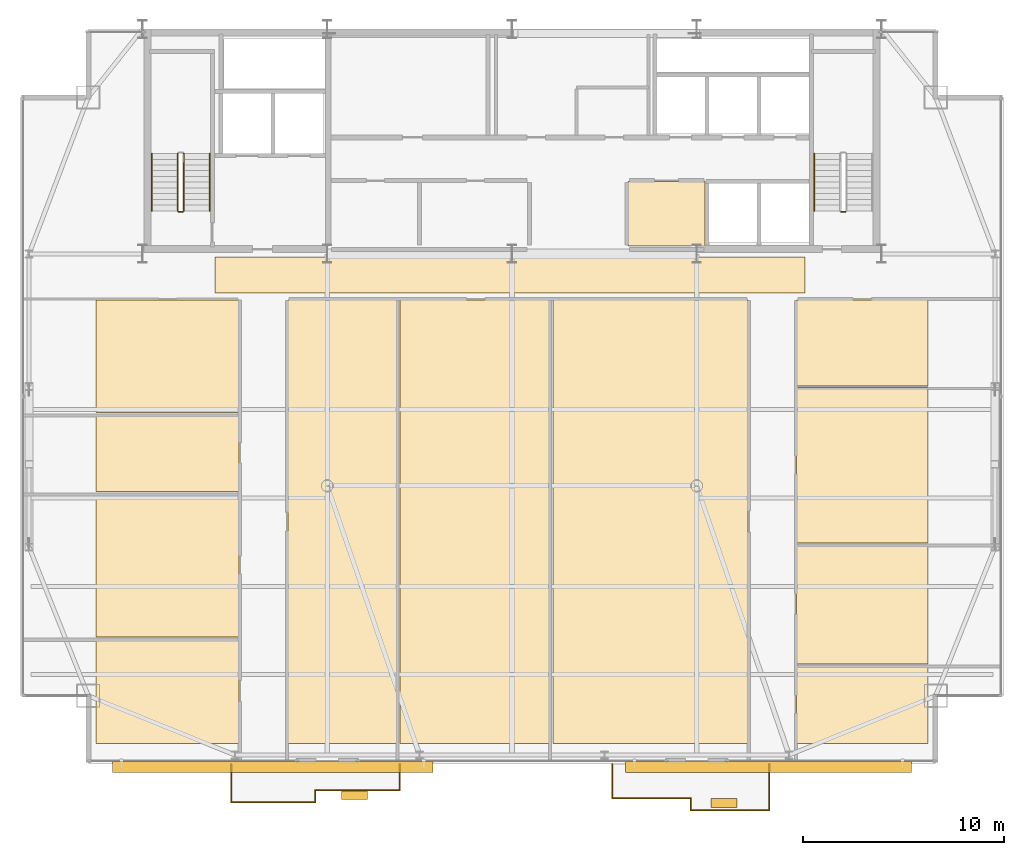
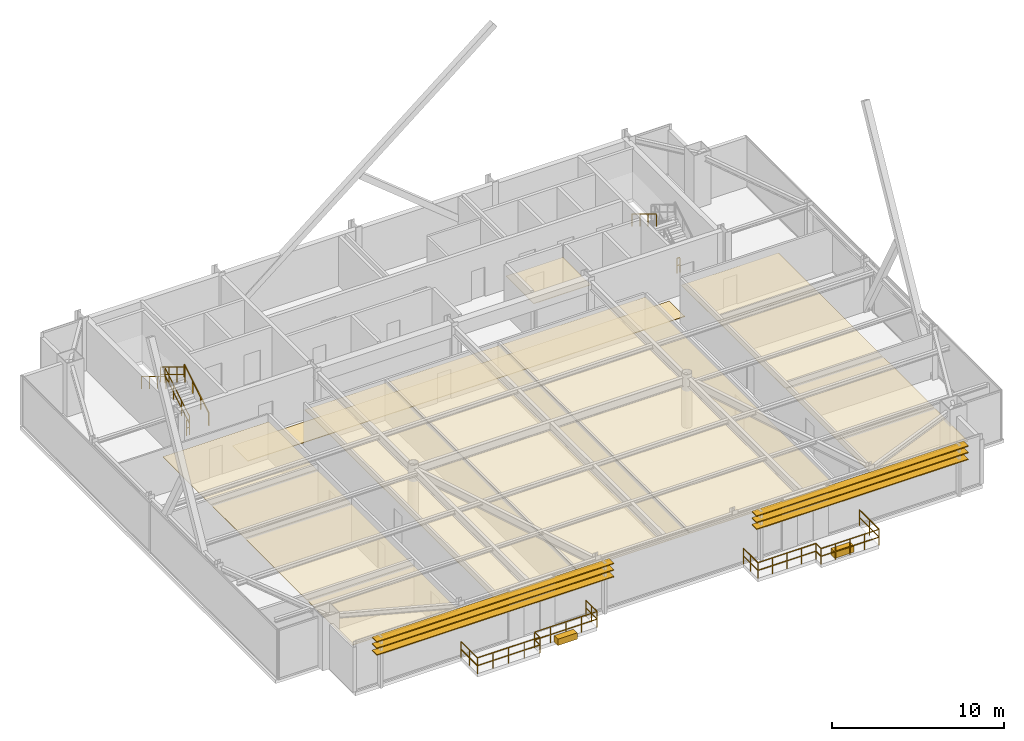
# One storey, part 30 of 31: 17 railings, 15 coverings, 6 shading devices.
"""IFC4 building model written with IfcOpenShell, lengths in metres."""

from ifc_helpers import new_model, si_unit, direction, frame, origin, origin_2d, place, context, subcontext, project, spatial, polyline, rectangle, outline, extrude, source, transform, mapped, material, layer, layer_set, type_object, type_shapes, element, save


model = new_model("IFC4")

# Units and contexts
model_context = context("Model", 3, precision=1e-05, world=origin(), true_north=direction((0.0, 1.0)))
body_context = subcontext(model_context, "Body", "Model", "MODEL_VIEW")
ifc_project = project(units=[si_unit("LENGTHUNIT", "METRE"), si_unit("AREAUNIT", "SQUARE_METRE"), si_unit("VOLUMEUNIT", "CUBIC_METRE"), si_unit("PLANEANGLEUNIT", "RADIAN"), si_unit("MASSUNIT", "GRAM", prefix="KILO")], contexts=[model_context])

# Site, building, storey
site_placement = place(None, origin())
site = spatial("IfcSite", under=ifc_project, at=site_placement, CompositionType="ELEMENT")
building_placement = place(site_placement, origin())
building = spatial("IfcBuilding", under=site, at=building_placement, Name="Varnel Quay Broadcast Tower", CompositionType="ELEMENT")
storey_placement = place(building_placement, frame((0.0, 0.0, 215.0)))
storey = spatial("IfcBuildingStorey", under=building, at=storey_placement, Name="L53", CompositionType="ELEMENT", Elevation=215.0)

# Coverings
ifc_material_1 = material(Name="Micro-Perforated Acoustic Ceiling Tile")
ifc_layer_1 = layer(ifc_material_1, 0.0400390625, Name="Micro-Perforated Acoustic Ceiling Tile")
ifc_layer_set_1 = layer_set([ifc_layer_1], Name="Micro-Perforated Acoustic Ceiling Tile")
covering_type_1 = type_object("IfcCoveringType", Name="Cov_AcousticCeiling", PredefinedType="CEILING", material=ifc_layer_set_1)
covering_1_placement = place(storey_placement, frame((0.0, 0.0, 2.580078125)))
element("IfcCovering", 1, at=covering_1_placement, inside=storey, type_object=covering_type_1, Name="L53 Electrical Sub-Distribution Closet Acoustic Ceiling", PredefinedType="CEILING", context=body_context, shape_type="SweptSolid", body=[
    extrude(outline(polyline([(39.784912109375, 35.985107421875), (43.614990234375, 35.985107421875), (43.614990234375, 39.215087890625), (39.784912109375, 39.215087890625), (39.784912109375, 35.985107421875)])), origin(), (0.0, 0.0, 1.0), 0.0400390625),
])
covering_2_placement = place(storey_placement, frame((0.0, 0.0, 2.580078125)))
element("IfcCovering", 2, at=covering_2_placement, inside=storey, type_object=covering_type_1, Name="L53 Editorial Boardroom 1 Acoustic Ceiling", PredefinedType="CEILING", context=body_context, shape_type="SweptSolid", body=[
    extrude(outline(polyline([(13.284912109375, 11.22509765625), (20.4150390625, 11.22509765625), (20.4150390625, 16.455078125), (13.284912109375, 16.455078125), (13.284912109375, 11.22509765625)])), origin(), (0.0, 0.0, 1.0), 0.0400390625),
])
covering_3_placement = place(storey_placement, frame((0.0, 0.0, 2.580078125)))
element("IfcCovering", 3, at=covering_3_placement, inside=storey, type_object=covering_type_1, Name="L53 Break Kitchen 2 Acoustic Ceiling", PredefinedType="CEILING", context=body_context, shape_type="SweptSolid", body=[
    extrude(outline(polyline([(13.284912109375, 16.52490234375), (20.4150390625, 16.52490234375), (20.4150390625, 23.695068359375), (13.284912109375, 23.695068359375), (13.284912109375, 16.52490234375)])), origin(), (0.0, 0.0, 1.0), 0.0400390625),
])
covering_4_placement = place(storey_placement, frame((0.0, 0.0, 2.580078125)))
element("IfcCovering", 4, at=covering_4_placement, inside=storey, type_object=covering_type_1, Name="L53 Press Green Lounge 3 Acoustic Ceiling", PredefinedType="CEILING", context=body_context, shape_type="SweptSolid", body=[
    extrude(outline(polyline([(13.284912109375, 23.764892578125), (20.4150390625, 23.764892578125), (20.4150390625, 27.625), (13.284912109375, 27.625), (13.284912109375, 23.764892578125)])), origin(), (0.0, 0.0, 1.0), 0.0400390625),
])
covering_5_placement = place(storey_placement, frame((0.0, 0.0, 2.580078125)))
element("IfcCovering", 5, at=covering_5_placement, inside=storey, type_object=covering_type_1, Name="L53 Camera Locker Store 4 Acoustic Ceiling", PredefinedType="CEILING", context=body_context, shape_type="SweptSolid", body=[
    extrude(outline(polyline([(13.284912109375, 27.695068359375), (20.4150390625, 27.695068359375), (20.4150390625, 33.31494140625), (13.284912109375, 33.31494140625), (13.284912109375, 27.695068359375)])), origin(), (0.0, 0.0, 1.0), 0.0400390625),
])
covering_6_placement = place(storey_placement, frame((0.0, 0.0, 2.580078125)))
element("IfcCovering", 6, at=covering_6_placement, inside=storey, type_object=covering_type_1, Name="L53 Broadcast Newsroom 5 Acoustic Ceiling", PredefinedType="CEILING", context=body_context, shape_type="SweptSolid", body=[
    extrude(outline(polyline([(22.8349609375, 11.22509765625), (28.364990234375, 11.22509765625), (28.364990234375, 33.31494140625), (22.8349609375, 33.31494140625), (22.8349609375, 11.22509765625)])), origin(), (0.0, 0.0, 1.0), 0.0400390625),
])
covering_7_placement = place(storey_placement, frame((0.0, 0.0, 2.580078125)))
element("IfcCovering", 7, at=covering_7_placement, inside=storey, type_object=covering_type_1, Name="L53 Assignment Desk 6 Acoustic Ceiling", PredefinedType="CEILING", context=body_context, shape_type="SweptSolid", body=[
    extrude(outline(polyline([(28.43505859375, 11.22509765625), (35.965087890625, 11.22509765625), (35.965087890625, 33.31494140625), (28.43505859375, 33.31494140625), (28.43505859375, 11.22509765625)])), origin(), (0.0, 0.0, 1.0), 0.0400390625),
])
covering_8_placement = place(storey_placement, frame((0.0, 0.0, 2.580078125)))
element("IfcCovering", 8, at=covering_8_placement, inside=storey, type_object=covering_type_1, Name="L53 Editorial Boardroom 7 Acoustic Ceiling", PredefinedType="CEILING", context=body_context, shape_type="SweptSolid", body=[
    extrude(outline(polyline([(36.034912109375, 11.22509765625), (45.7548828125, 11.22509765625), (45.7548828125, 33.31494140625), (36.034912109375, 33.31494140625), (36.034912109375, 11.22509765625)])), origin(), (0.0, 0.0, 1.0), 0.0400390625),
])
covering_9_placement = place(storey_placement, frame((0.0, 0.0, 2.580078125)))
element("IfcCovering", 9, at=covering_9_placement, inside=storey, type_object=covering_type_1, Name="L53 Break Kitchen 8 Acoustic Ceiling", PredefinedType="CEILING", context=body_context, shape_type="SweptSolid", body=[
    extrude(outline(polyline([(48.175048828125, 11.22509765625), (54.715087890625, 11.22509765625), (54.715087890625, 15.114990234375), (48.175048828125, 15.114990234375), (48.175048828125, 11.22509765625)])), origin(), (0.0, 0.0, 1.0), 0.0400390625),
])
covering_10_placement = place(storey_placement, frame((0.0, 0.0, 2.580078125)))
element("IfcCovering", 10, at=covering_10_placement, inside=storey, type_object=covering_type_1, Name="L53 Press Green Lounge 9 Acoustic Ceiling", PredefinedType="CEILING", context=body_context, shape_type="SweptSolid", body=[
    extrude(outline(polyline([(48.175048828125, 15.18505859375), (54.715087890625, 15.18505859375), (54.715087890625, 21.14501953125), (48.175048828125, 21.14501953125), (48.175048828125, 15.18505859375)])), origin(), (0.0, 0.0, 1.0), 0.0400390625),
])
covering_11_placement = place(storey_placement, frame((0.0, 0.0, 2.580078125)))
element("IfcCovering", 11, at=covering_11_placement, inside=storey, type_object=covering_type_1, Name="L53 Camera Locker Store 10 Acoustic Ceiling", PredefinedType="CEILING", context=body_context, shape_type="SweptSolid", body=[
    extrude(outline(polyline([(48.175048828125, 21.215087890625), (54.715087890625, 21.215087890625), (54.715087890625, 28.965087890625), (48.175048828125, 28.965087890625), (48.175048828125, 21.215087890625)])), origin(), (0.0, 0.0, 1.0), 0.0400390625),
])
covering_12_placement = place(storey_placement, frame((0.0, 0.0, 2.580078125)))
element("IfcCovering", 12, at=covering_12_placement, inside=storey, type_object=covering_type_1, Name="L53 Broadcast Newsroom 11 Acoustic Ceiling", PredefinedType="CEILING", context=body_context, shape_type="SweptSolid", body=[
    extrude(outline(polyline([(48.175048828125, 29.034912109375), (54.715087890625, 29.034912109375), (54.715087890625, 33.31494140625), (48.175048828125, 33.31494140625), (48.175048828125, 29.034912109375)])), origin(), (0.0, 0.0, 1.0), 0.0400390625),
])
ifc_material_2 = material(Name="Polished Terrazzo & Broadcast Raised Flooring")
ifc_layer_2 = layer(ifc_material_2, 0.0400390625, Name="Polished Terrazzo & Broadcast Raised Flooring")
ifc_layer_set_2 = layer_set([ifc_layer_2], Name="Polished Terrazzo & Broadcast Raised Flooring")
covering_type_2 = type_object("IfcCoveringType", Name="Cov_TerrazzoFloor", PredefinedType="FLOORING", material=ifc_layer_set_2)
covering_13_placement = place(storey_placement, origin())
element("IfcCovering", 13, at=covering_13_placement, inside=storey, type_object=covering_type_2, Name="L53 Corridor Terrazzo Flooring", PredefinedType="FLOORING", context=body_context, shape_type="SweptSolid", body=[
    extrude(outline(polyline([(19.199951171875, 33.64990234375), (48.60009765625, 33.64990234375), (48.60009765625, 35.449951171875), (19.199951171875, 35.449951171875), (19.199951171875, 33.64990234375)])), origin(), (0.0, 0.0, 1.0), 0.0400390625),
])

# Railings
ifc_material_3 = material(Name="Anodised Bronze Aluminium 6063-T6", Category="aluminium")
railing_type_1 = type_object("IfcRailingType", Name="Rail_Balustrade1150", PredefinedType="BALUSTRADE", material=ifc_material_3)
railing_1_placement = place(storey_placement, frame((20.010009765625, 8.297119140625, 0.0)))
element("IfcRailing", 14, at=railing_1_placement, inside=storey, type_object=railing_type_1, Name="L53 Terrace 1 Guard 1", PredefinedType="BALUSTRADE", context=body_context, shape_type="SweptSolid", body=[
    extrude(rectangle(XDim=0.048095703125, YDim=0.048095703125, at=origin_2d()), frame((0.0, 0.0, 1.1259765625), z_axis=(1.0, 0.0, 0.0), x_axis=(0.0, 1.0, 0.0)), (0.0, 0.0, 1.0), 4.199951171875),
    extrude(rectangle(XDim=0.048095703125, YDim=0.048095703125, at=origin_2d()), frame((0.0, 0.0, 0.574951171875), z_axis=(1.0, 0.0, 0.0), x_axis=(0.0, 1.0, 0.0)), (0.0, 0.0, 1.0), 4.199951171875),
    extrude(rectangle(XDim=0.0419921875, YDim=0.0419921875, at=origin_2d()), origin(), (0.0, 0.0, 1.0), 1.101806640625),
    extrude(rectangle(XDim=0.0419921875, YDim=0.0419921875, at=origin_2d()), frame((1.050048828125, 0.0, 0.0)), (0.0, 0.0, 1.0), 1.101806640625),
    extrude(rectangle(XDim=0.0419921875, YDim=0.0419921875, at=origin_2d()), frame((2.10009765625, 0.0, 0.0)), (0.0, 0.0, 1.0), 1.101806640625),
    extrude(rectangle(XDim=0.0419921875, YDim=0.0419921875, at=origin_2d()), frame((3.14990234375, 0.0, 0.0)), (0.0, 0.0, 1.0), 1.101806640625),
    extrude(rectangle(XDim=0.0419921875, YDim=0.0419921875, at=origin_2d()), frame((4.199951171875, 0.0, 0.0)), (0.0, 0.0, 1.0), 1.101806640625),
])
railing_2_placement = place(storey_placement, frame((24.2099609375, 8.297119140625, 0.0)))
element("IfcRailing", 15, at=railing_2_placement, inside=storey, type_object=railing_type_1, Name="L53 Terrace 1 Guard 2", PredefinedType="BALUSTRADE", context=body_context, shape_type="SweptSolid", body=[
    extrude(rectangle(XDim=0.048095703125, YDim=0.048095703125, at=origin_2d()), frame((0.0, 0.0, 1.1259765625), z_axis=(0.0, 1.0, 0.0), x_axis=(-1.0, 0.0, 0.0)), (0.0, 0.0, 1.0), 0.599853515625),
    extrude(rectangle(XDim=0.048095703125, YDim=0.048095703125, at=origin_2d()), frame((0.0, 0.0, 0.574951171875), z_axis=(0.0, 1.0, 0.0), x_axis=(-1.0, 0.0, 0.0)), (0.0, 0.0, 1.0), 0.599853515625),
    extrude(rectangle(XDim=0.0419921875, YDim=0.0419921875, at=origin_2d()), origin(), (0.0, 0.0, 1.0), 1.101806640625),
    extrude(rectangle(XDim=0.0419921875, YDim=0.0419921875, at=origin_2d()), frame((0.0, 0.599853515625, 0.0)), (0.0, 0.0, 1.0), 1.101806640625),
])
railing_3_placement = place(storey_placement, frame((24.2099609375, 8.89697265625, 0.0)))
element("IfcRailing", 16, at=railing_3_placement, inside=storey, type_object=railing_type_1, Name="L53 Terrace 1 Guard 3", PredefinedType="BALUSTRADE", context=body_context, shape_type="SweptSolid", body=[
    extrude(rectangle(XDim=0.048095703125, YDim=0.048095703125, at=origin_2d()), frame((0.0, 0.0, 1.1259765625), z_axis=(1.0, 0.0, 0.0), x_axis=(0.0, 1.0, 0.0)), (0.0, 0.0, 1.0), 4.199951171875),
    extrude(rectangle(XDim=0.048095703125, YDim=0.048095703125, at=origin_2d()), frame((0.0, 0.0, 0.574951171875), z_axis=(1.0, 0.0, 0.0), x_axis=(0.0, 1.0, 0.0)), (0.0, 0.0, 1.0), 4.199951171875),
    extrude(rectangle(XDim=0.0419921875, YDim=0.0419921875, at=origin_2d()), origin(), (0.0, 0.0, 1.0), 1.101806640625),
    extrude(rectangle(XDim=0.0419921875, YDim=0.0419921875, at=origin_2d()), frame((1.050048828125, 0.0, 0.0)), (0.0, 0.0, 1.0), 1.101806640625),
    extrude(rectangle(XDim=0.0419921875, YDim=0.0419921875, at=origin_2d()), frame((2.10009765625, 0.0, 0.0)), (0.0, 0.0, 1.0), 1.101806640625),
    extrude(rectangle(XDim=0.0419921875, YDim=0.0419921875, at=origin_2d()), frame((3.14990234375, 0.0, 0.0)), (0.0, 0.0, 1.0), 1.101806640625),
    extrude(rectangle(XDim=0.0419921875, YDim=0.0419921875, at=origin_2d()), frame((4.199951171875, 0.0, 0.0)), (0.0, 0.0, 1.0), 1.101806640625),
])
railing_4_placement = place(storey_placement, frame((28.409912109375, 8.89697265625, 0.0)))
element("IfcRailing", 17, at=railing_4_placement, inside=storey, type_object=railing_type_1, Name="L53 Terrace 1 Guard 4", PredefinedType="BALUSTRADE", context=body_context, shape_type="SweptSolid", body=[
    extrude(rectangle(XDim=0.048095703125, YDim=0.048095703125, at=origin_2d()), frame((0.0, 0.0, 1.1259765625), z_axis=(0.0, 1.0, 0.0), x_axis=(-1.0, 0.0, 0.0)), (0.0, 0.0, 1.0), 1.302978515625),
    extrude(rectangle(XDim=0.048095703125, YDim=0.048095703125, at=origin_2d()), frame((0.0, 0.0, 0.574951171875), z_axis=(0.0, 1.0, 0.0), x_axis=(-1.0, 0.0, 0.0)), (0.0, 0.0, 1.0), 1.302978515625),
    extrude(rectangle(XDim=0.0419921875, YDim=0.0419921875, at=origin_2d()), origin(), (0.0, 0.0, 1.0), 1.101806640625),
    extrude(rectangle(XDim=0.0419921875, YDim=0.0419921875, at=origin_2d()), frame((0.0, 0.6513671875, 0.0)), (0.0, 0.0, 1.0), 1.101806640625),
    extrude(rectangle(XDim=0.0419921875, YDim=0.0419921875, at=origin_2d()), frame((0.0, 1.302978515625, 0.0)), (0.0, 0.0, 1.0), 1.101806640625),
])
railing_5_placement = place(storey_placement, frame((20.010009765625, 10.199951171875, 0.0)))
element("IfcRailing", 18, at=railing_5_placement, inside=storey, type_object=railing_type_1, Name="L53 Terrace 1 Guard 6", PredefinedType="BALUSTRADE", context=body_context, shape_type="SweptSolid", body=[
    extrude(rectangle(XDim=0.048095703125, YDim=0.048095703125, at=origin_2d()), frame((0.0, 0.0, 1.1259765625), z_axis=(0.0, -1.0, 0.0), x_axis=(1.0, 0.0, 0.0)), (0.0, 0.0, 1.0), 1.90283203125),
    extrude(rectangle(XDim=0.048095703125, YDim=0.048095703125, at=origin_2d()), frame((0.0, 0.0, 0.574951171875), z_axis=(0.0, -1.0, 0.0), x_axis=(1.0, 0.0, 0.0)), (0.0, 0.0, 1.0), 1.90283203125),
    extrude(rectangle(XDim=0.0419921875, YDim=0.0419921875, at=origin_2d()), origin(), (0.0, 0.0, 1.0), 1.101806640625),
    extrude(rectangle(XDim=0.0419921875, YDim=0.0419921875, at=origin_2d()), frame((0.0, -0.951416015625, 0.0)), (0.0, 0.0, 1.0), 1.101806640625),
    extrude(rectangle(XDim=0.0419921875, YDim=0.0419921875, at=origin_2d()), frame((0.0, -1.90283203125, 0.0)), (0.0, 0.0, 1.0), 1.101806640625),
])
railing_6_placement = place(storey_placement, frame((39.0, 8.5029296875, 0.0)))
element("IfcRailing", 19, at=railing_6_placement, inside=storey, type_object=railing_type_1, Name="L53 Terrace 2 Guard 1", PredefinedType="BALUSTRADE", context=body_context, shape_type="SweptSolid", body=[
    extrude(rectangle(XDim=0.048095703125, YDim=0.048095703125, at=origin_2d()), frame((0.0, 0.0, 1.1259765625), z_axis=(1.0, 0.0, 0.0), x_axis=(0.0, 1.0, 0.0)), (0.0, 0.0, 1.0), 3.905029296875),
    extrude(rectangle(XDim=0.048095703125, YDim=0.048095703125, at=origin_2d()), frame((0.0, 0.0, 0.574951171875), z_axis=(1.0, 0.0, 0.0), x_axis=(0.0, 1.0, 0.0)), (0.0, 0.0, 1.0), 3.905029296875),
    extrude(rectangle(XDim=0.0419921875, YDim=0.0419921875, at=origin_2d()), origin(), (0.0, 0.0, 1.0), 1.101806640625),
    extrude(rectangle(XDim=0.0419921875, YDim=0.0419921875, at=origin_2d()), frame((0.976318359375, 0.0, 0.0)), (0.0, 0.0, 1.0), 1.101806640625),
    extrude(rectangle(XDim=0.0419921875, YDim=0.0419921875, at=origin_2d()), frame((1.95263671875, 0.0, 0.0)), (0.0, 0.0, 1.0), 1.101806640625),
    extrude(rectangle(XDim=0.0419921875, YDim=0.0419921875, at=origin_2d()), frame((2.9287109375, 0.0, 0.0)), (0.0, 0.0, 1.0), 1.101806640625),
    extrude(rectangle(XDim=0.0419921875, YDim=0.0419921875, at=origin_2d()), frame((3.905029296875, 0.0, 0.0)), (0.0, 0.0, 1.0), 1.101806640625),
])
railing_7_placement = place(storey_placement, frame((42.905029296875, 8.5029296875, 0.0)))
element("IfcRailing", 20, at=railing_7_placement, inside=storey, type_object=railing_type_1, Name="L53 Terrace 2 Guard 2", PredefinedType="BALUSTRADE", context=body_context, shape_type="SweptSolid", body=[
    extrude(rectangle(XDim=0.048095703125, YDim=0.048095703125, at=origin_2d()), frame((0.0, 0.0, 1.1259765625), z_axis=(0.0, -1.0, 0.0), x_axis=(1.0, 0.0, 0.0)), (0.0, 0.0, 1.0), 0.599853515625),
    extrude(rectangle(XDim=0.048095703125, YDim=0.048095703125, at=origin_2d()), frame((0.0, 0.0, 0.574951171875), z_axis=(0.0, -1.0, 0.0), x_axis=(1.0, 0.0, 0.0)), (0.0, 0.0, 1.0), 0.599853515625),
    extrude(rectangle(XDim=0.0419921875, YDim=0.0419921875, at=origin_2d()), origin(), (0.0, 0.0, 1.0), 1.101806640625),
    extrude(rectangle(XDim=0.0419921875, YDim=0.0419921875, at=origin_2d()), frame((0.0, -0.599853515625, 0.0)), (0.0, 0.0, 1.0), 1.101806640625),
])
railing_8_placement = place(storey_placement, frame((42.905029296875, 7.903076171875, 0.0)))
element("IfcRailing", 21, at=railing_8_placement, inside=storey, type_object=railing_type_1, Name="L53 Terrace 2 Guard 3", PredefinedType="BALUSTRADE", context=body_context, shape_type="SweptSolid", body=[
    extrude(rectangle(XDim=0.048095703125, YDim=0.048095703125, at=origin_2d()), frame((0.0, 0.0, 1.1259765625), z_axis=(1.0, 0.0, 0.0), x_axis=(0.0, 1.0, 0.0)), (0.0, 0.0, 1.0), 3.905029296875),
    extrude(rectangle(XDim=0.048095703125, YDim=0.048095703125, at=origin_2d()), frame((0.0, 0.0, 0.574951171875), z_axis=(1.0, 0.0, 0.0), x_axis=(0.0, 1.0, 0.0)), (0.0, 0.0, 1.0), 3.905029296875),
    extrude(rectangle(XDim=0.0419921875, YDim=0.0419921875, at=origin_2d()), origin(), (0.0, 0.0, 1.0), 1.101806640625),
    extrude(rectangle(XDim=0.0419921875, YDim=0.0419921875, at=origin_2d()), frame((0.976318359375, 0.0, 0.0)), (0.0, 0.0, 1.0), 1.101806640625),
    extrude(rectangle(XDim=0.0419921875, YDim=0.0419921875, at=origin_2d()), frame((1.95263671875, 0.0, 0.0)), (0.0, 0.0, 1.0), 1.101806640625),
    extrude(rectangle(XDim=0.0419921875, YDim=0.0419921875, at=origin_2d()), frame((2.9287109375, 0.0, 0.0)), (0.0, 0.0, 1.0), 1.101806640625),
    extrude(rectangle(XDim=0.0419921875, YDim=0.0419921875, at=origin_2d()), frame((3.905029296875, 0.0, 0.0)), (0.0, 0.0, 1.0), 1.101806640625),
])
railing_9_placement = place(storey_placement, frame((46.81005859375, 7.903076171875, 0.0)))
element("IfcRailing", 22, at=railing_9_placement, inside=storey, type_object=railing_type_1, Name="L53 Terrace 2 Guard 4", PredefinedType="BALUSTRADE", context=body_context, shape_type="SweptSolid", body=[
    extrude(rectangle(XDim=0.048095703125, YDim=0.048095703125, at=origin_2d()), frame((0.0, 0.0, 1.1259765625), z_axis=(0.0, 1.0, 0.0), x_axis=(-1.0, 0.0, 0.0)), (0.0, 0.0, 1.0), 2.296875),
    extrude(rectangle(XDim=0.048095703125, YDim=0.048095703125, at=origin_2d()), frame((0.0, 0.0, 0.574951171875), z_axis=(0.0, 1.0, 0.0), x_axis=(-1.0, 0.0, 0.0)), (0.0, 0.0, 1.0), 2.296875),
    extrude(rectangle(XDim=0.0419921875, YDim=0.0419921875, at=origin_2d()), origin(), (0.0, 0.0, 1.0), 1.101806640625),
    extrude(rectangle(XDim=0.0419921875, YDim=0.0419921875, at=origin_2d()), frame((0.0, 1.1484375, 0.0)), (0.0, 0.0, 1.0), 1.101806640625),
    extrude(rectangle(XDim=0.0419921875, YDim=0.0419921875, at=origin_2d()), frame((0.0, 2.296875, 0.0)), (0.0, 0.0, 1.0), 1.101806640625),
])
railing_10_placement = place(storey_placement, frame((39.0, 10.199951171875, 0.0)))
element("IfcRailing", 23, at=railing_10_placement, inside=storey, type_object=railing_type_1, Name="L53 Terrace 2 Guard 6", PredefinedType="BALUSTRADE", context=body_context, shape_type="SweptSolid", body=[
    extrude(rectangle(XDim=0.048095703125, YDim=0.048095703125, at=origin_2d()), frame((0.0, 0.0, 1.1259765625), z_axis=(0.0, -1.0, 0.0), x_axis=(1.0, 0.0, 0.0)), (0.0, 0.0, 1.0), 1.697021484375),
    extrude(rectangle(XDim=0.048095703125, YDim=0.048095703125, at=origin_2d()), frame((0.0, 0.0, 0.574951171875), z_axis=(0.0, -1.0, 0.0), x_axis=(1.0, 0.0, 0.0)), (0.0, 0.0, 1.0), 1.697021484375),
    extrude(rectangle(XDim=0.0419921875, YDim=0.0419921875, at=origin_2d()), origin(), (0.0, 0.0, 1.0), 1.101806640625),
    extrude(rectangle(XDim=0.0419921875, YDim=0.0419921875, at=origin_2d()), frame((0.0, -0.8486328125, 0.0)), (0.0, 0.0, 1.0), 1.101806640625),
    extrude(rectangle(XDim=0.0419921875, YDim=0.0419921875, at=origin_2d()), frame((0.0, -1.697021484375, 0.0)), (0.0, 0.0, 1.0), 1.101806640625),
])
ifc_material_4 = material(Name="Painted Steel Guard and Handrail CSA G40.21 350W", Category="steel")
railing_type_2 = type_object("IfcRailingType", Name="Rail_StairGuard1100", PredefinedType="GUARDRAIL", material=ifc_material_4)
railing_11_placement = place(storey_placement, frame((17.64990234375, 37.75, 0.172607421875)))
element("IfcRailing", 24, at=railing_11_placement, inside=storey, type_object=railing_type_2, Name="L53 ST-01 stair guard 1", PredefinedType="GUARDRAIL", context=body_context, shape_type="SweptSolid", body=[
    extrude(rectangle(XDim=0.048095703125, YDim=0.048095703125, at=origin_2d()), frame((0.0, 0.0, 1.076171875), z_axis=(0.0, 0.855202751398, 0.518293598264), x_axis=(-1.0, 0.0, 0.0)), (0.0, 0.0, 1.0), 3.332763671875),
    extrude(rectangle(XDim=0.048095703125, YDim=0.048095703125, at=origin_2d()), frame((0.0, 0.0, 0.550048828125), z_axis=(0.0, 0.855202751398, 0.518293598264), x_axis=(-1.0, 0.0, 0.0)), (0.0, 0.0, 1.0), 3.332763671875),
    extrude(rectangle(XDim=0.0419921875, YDim=0.0419921875, at=origin_2d()), origin(), (0.0, 0.0, 1.0), 1.052001953125),
    extrude(rectangle(XDim=0.0419921875, YDim=0.0419921875, at=origin_2d()), frame((0.0, 0.949951171875, 0.57568359375)), (0.0, 0.0, 1.0), 1.052001953125),
    extrude(rectangle(XDim=0.0419921875, YDim=0.0419921875, at=origin_2d()), frame((0.0, 1.900146484375, 1.151611328125)), (0.0, 0.0, 1.0), 1.052001953125),
    extrude(rectangle(XDim=0.0419921875, YDim=0.0419921875, at=origin_2d()), frame((0.0, 2.85009765625, 1.727294921875)), (0.0, 0.0, 1.0), 1.052001953125),
])
railing_12_placement = place(storey_placement, frame((17.35009765625, 40.60009765625, 2.07275390625)))
element("IfcRailing", 25, at=railing_12_placement, inside=storey, type_object=railing_type_2, Name="L53 ST-01 stair guard 3", PredefinedType="GUARDRAIL", context=body_context, shape_type="SweptSolid", body=[
    extrude(rectangle(XDim=0.048095703125, YDim=0.048095703125, at=origin_2d()), frame((0.0, 0.0, 1.076171875), z_axis=(0.0, -0.855202751398, 0.518293598264), x_axis=(1.0, 0.0, 0.0)), (0.0, 0.0, 1.0), 3.332763671875),
    extrude(rectangle(XDim=0.048095703125, YDim=0.048095703125, at=origin_2d()), frame((0.0, 0.0, 0.550048828125), z_axis=(0.0, -0.855202751398, 0.518293598264), x_axis=(1.0, 0.0, 0.0)), (0.0, 0.0, 1.0), 3.332763671875),
    extrude(rectangle(XDim=0.0419921875, YDim=0.0419921875, at=origin_2d()), origin(), (0.0, 0.0, 1.0), 1.052001953125),
    extrude(rectangle(XDim=0.0419921875, YDim=0.0419921875, at=origin_2d()), frame((0.0, -0.949951171875, 0.57568359375)), (0.0, 0.0, 1.0), 1.052001953125),
    extrude(rectangle(XDim=0.0419921875, YDim=0.0419921875, at=origin_2d()), frame((0.0, -1.900146484375, 1.151611328125)), (0.0, 0.0, 1.0), 1.052001953125),
    extrude(rectangle(XDim=0.0419921875, YDim=0.0419921875, at=origin_2d()), frame((0.0, -2.85009765625, 1.727294921875)), (0.0, 0.0, 1.0), 1.052001953125),
])
for number, where, name in (
    (26, (17.60009765625, 37.699951171875, 0.0), "L53 ST-01 stair guard 4"),
    (27, (50.60009765625, 37.699951171875, 0.0), "L53 ST-02 stair guard 4"),
):
    element("IfcRailing", number, at=place(storey_placement, frame(where)), inside=storey, type_object=railing_type_2, Name=name, PredefinedType="GUARDRAIL", context=body_context, shape_type="SweptSolid", body=[
        extrude(rectangle(XDim=0.048095703125, YDim=0.048095703125, at=origin_2d()), frame((0.0, 0.0, 1.076171875), z_axis=(-1.0, 0.0, 0.0), x_axis=(0.0, -1.0, 0.0)), (0.0, 0.0, 1.0), 0.2001953125),
        extrude(rectangle(XDim=0.048095703125, YDim=0.048095703125, at=origin_2d()), frame((0.0, 0.0, 0.550048828125), z_axis=(-1.0, 0.0, 0.0), x_axis=(0.0, -1.0, 0.0)), (0.0, 0.0, 1.0), 0.2001953125),
        extrude(rectangle(XDim=0.0419921875, YDim=0.0419921875, at=origin_2d()), origin(), (0.0, 0.0, 1.0), 1.052001953125),
        extrude(rectangle(XDim=0.0419921875, YDim=0.0419921875, at=origin_2d()), frame((-0.2001953125, 0.0, 0.0)), (0.0, 0.0, 1.0), 1.052001953125),
    ])
railing_type_3 = type_object("IfcRailingType", Name="Rail_StairHandrail900", PredefinedType="HANDRAIL", material=ifc_material_4)
railing_13_placement = place(storey_placement, frame((18.949951171875, 37.75, 0.172607421875)))
element("IfcRailing", 28, at=railing_13_placement, inside=storey, type_object=railing_type_3, Name="L53 ST-01 stair handrail 1", PredefinedType="HANDRAIL", context=body_context, shape_type="SweptSolid", body=[
    extrude(rectangle(XDim=0.048095703125, YDim=0.048095703125, at=origin_2d()), frame((0.0, 0.0, 0.8759765625), z_axis=(0.0, 0.855202751398, 0.518293598264), x_axis=(-1.0, 0.0, 0.0)), (0.0, 0.0, 1.0), 3.332763671875),
    extrude(rectangle(XDim=0.0419921875, YDim=0.0419921875, at=origin_2d()), origin(), (0.0, 0.0, 1.0), 0.851806640625),
    extrude(rectangle(XDim=0.0419921875, YDim=0.0419921875, at=origin_2d()), frame((0.0, 0.949951171875, 0.57568359375)), (0.0, 0.0, 1.0), 0.851806640625),
    extrude(rectangle(XDim=0.0419921875, YDim=0.0419921875, at=origin_2d()), frame((0.0, 1.900146484375, 1.151611328125)), (0.0, 0.0, 1.0), 0.851806640625),
    extrude(rectangle(XDim=0.0419921875, YDim=0.0419921875, at=origin_2d()), frame((0.0, 2.85009765625, 1.727294921875)), (0.0, 0.0, 1.0), 0.851806640625),
])
for number, where, name in (
    (29, (16.050048828125, 40.60009765625, 2.07275390625), "L53 ST-01 stair handrail 2"),
    (30, (49.050048828125, 40.60009765625, 2.07275390625), "L53 ST-02 stair handrail 2"),
):
    element("IfcRailing", number, at=place(storey_placement, frame(where)), inside=storey, type_object=railing_type_3, Name=name, PredefinedType="HANDRAIL", context=body_context, shape_type="SweptSolid", body=[
        extrude(rectangle(XDim=0.048095703125, YDim=0.048095703125, at=origin_2d()), frame((0.0, 0.0, 0.8759765625), z_axis=(0.0, -0.855202751398, 0.518293598264), x_axis=(1.0, 0.0, 0.0)), (0.0, 0.0, 1.0), 3.332763671875),
        extrude(rectangle(XDim=0.0419921875, YDim=0.0419921875, at=origin_2d()), origin(), (0.0, 0.0, 1.0), 0.851806640625),
        extrude(rectangle(XDim=0.0419921875, YDim=0.0419921875, at=origin_2d()), frame((0.0, -0.949951171875, 0.57568359375)), (0.0, 0.0, 1.0), 0.851806640625),
        extrude(rectangle(XDim=0.0419921875, YDim=0.0419921875, at=origin_2d()), frame((0.0, -1.900146484375, 1.151611328125)), (0.0, 0.0, 1.0), 0.851806640625),
        extrude(rectangle(XDim=0.0419921875, YDim=0.0419921875, at=origin_2d()), frame((0.0, -2.85009765625, 1.727294921875)), (0.0, 0.0, 1.0), 0.851806640625),
    ])

# Coverings
ifc_material_5 = material(Name="Bronze-Terracotta Extruded Ceramic Blade", Category="masonry")
ifc_layer_3 = layer(ifc_material_5, 0.449951171875, Name="Bronze-Terracotta Extruded Ceramic Blade")
ifc_layer_set_3 = layer_set([ifc_layer_3], Name="Bronze-Terracotta Extruded Ceramic Blade")
covering_type_3 = type_object("IfcCoveringType", Name="Cov_BronzePlanter", PredefinedType="CLADDING", material=ifc_layer_set_3)
shared_shape_1 = source(origin(), body_context, "Body", "SweptSolid", [
    extrude(rectangle(XDim=1.300048828125, YDim=0.449951171875, at=origin_2d()), origin(), (0.0, 0.0, 1.0), 0.449951171875),
])
type_shapes(covering_type_3, [shared_shape_1])
for number, where, z_axis, x_axis, name in (
    (31, (26.14990234375, 8.64697265625, 0.0), (0.0, 0.0, 1.0), (1.0, 0.0, 0.0), "L53 Terrace 1 Bronze Planter"),
    (32, (44.550048828125, 8.2529296875, 0.0), (0.0, 0.0, 1.0), (1.0, 0.0, 0.0), "L53 Terrace 2 Bronze Planter"),
):
    element("IfcCovering", number, at=place(storey_placement, frame(where, z_axis=z_axis, x_axis=x_axis)), inside=storey, type_object=covering_type_3, Name=name, PredefinedType="CLADDING", context=body_context, shape_type="MappedRepresentation", body=[
        mapped(shared_shape_1, transform((0.0, 0.0, 0.0), x_axis=(1.0, 0.0, 0.0), y_axis=(0.0, 1.0, 0.0), z_axis=(0.0, 0.0, 1.0), scale=1.0)),
    ])

# Shading devices
ifc_layer_4 = layer(ifc_material_5, 0.06494140625, Name="Bronze-Terracotta Extruded Ceramic Blade")
ifc_layer_set_4 = layer_set([ifc_layer_4], Name="Bronze-Terracotta Extruded Ceramic Blade")
shading_device_type = type_object("IfcShadingDeviceType", Name="Shade_LouvreBlade550", PredefinedType="JALOUSIE", material=ifc_layer_set_4)
shared_shape_2 = source(origin(), body_context, "Body", "SweptSolid", [
    extrude(rectangle(XDim=15.9560546875, YDim=0.550048828125, at=origin_2d()), origin(), (0.0, 0.0, 1.0), 0.06494140625),
])
for number, where, z_axis, x_axis, name in (
    (33, (22.077880859375, 10.06005859375, 2.447509765625), (0.0, 0.0, 1.0), (1.0, 0.0, 0.0), "L53 Lobe 1 Horizontal Louvre Blade 1"),
    (34, (22.077880859375, 10.06005859375, 2.927490234375), (0.0, 0.0, 1.0), (1.0, 0.0, 0.0), "L53 Lobe 1 Horizontal Louvre Blade 2"),
    (35, (22.077880859375, 10.06005859375, 3.387451171875), (0.0, 0.0, 1.0), (1.0, 0.0, 0.0), "L53 Lobe 1 Horizontal Louvre Blade 3"),
):
    element("IfcShadingDevice", number, at=place(storey_placement, frame(where, z_axis=z_axis, x_axis=x_axis)), inside=storey, type_object=shading_device_type, Name=name, PredefinedType="JALOUSIE", context=body_context, shape_type="MappedRepresentation", body=[
        mapped(shared_shape_2, transform((0.0, 0.0, 0.0), x_axis=(1.0, 0.0, 0.0), y_axis=(0.0, 1.0, 0.0), z_axis=(0.0, 0.0, 1.0), scale=1.0)),
    ])
shared_shape_3 = source(origin(), body_context, "Body", "SweptSolid", [
    extrude(rectangle(XDim=14.243896484375, YDim=0.550048828125, at=origin_2d()), origin(), (0.0, 0.0, 1.0), 0.06494140625),
])
type_shapes(shading_device_type, [shared_shape_2, shared_shape_3])
for number, where, z_axis, x_axis, name in (
    (36, (46.778076171875, 10.06005859375, 2.447509765625), (0.0, 0.0, 1.0), (1.0, 0.0, 0.0), "L53 Lobe 2 Horizontal Louvre Blade 1"),
    (37, (46.778076171875, 10.06005859375, 2.927490234375), (0.0, 0.0, 1.0), (1.0, 0.0, 0.0), "L53 Lobe 2 Horizontal Louvre Blade 2"),
    (38, (46.778076171875, 10.06005859375, 3.387451171875), (0.0, 0.0, 1.0), (1.0, 0.0, 0.0), "L53 Lobe 2 Horizontal Louvre Blade 3"),
):
    element("IfcShadingDevice", number, at=place(storey_placement, frame(where, z_axis=z_axis, x_axis=x_axis)), inside=storey, type_object=shading_device_type, Name=name, PredefinedType="JALOUSIE", context=body_context, shape_type="MappedRepresentation", body=[
        mapped(shared_shape_3, transform((0.0, 0.0, 0.0), x_axis=(1.0, 0.0, 0.0), y_axis=(0.0, 1.0, 0.0), z_axis=(0.0, 0.0, 1.0), scale=1.0)),
    ])

save(model, "model.ifc")
